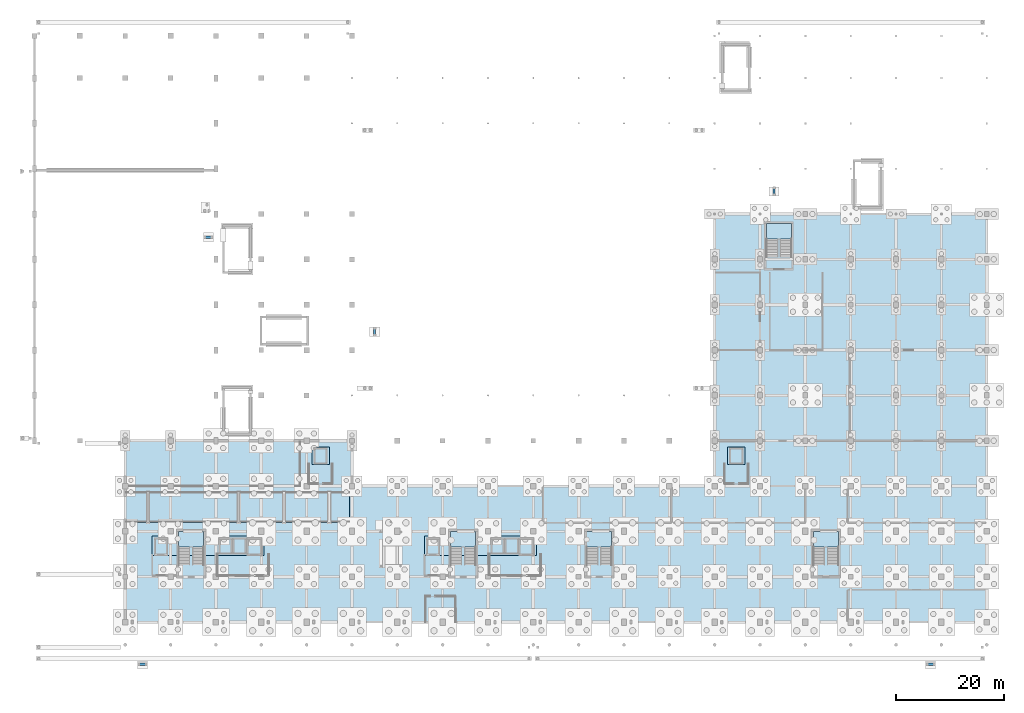
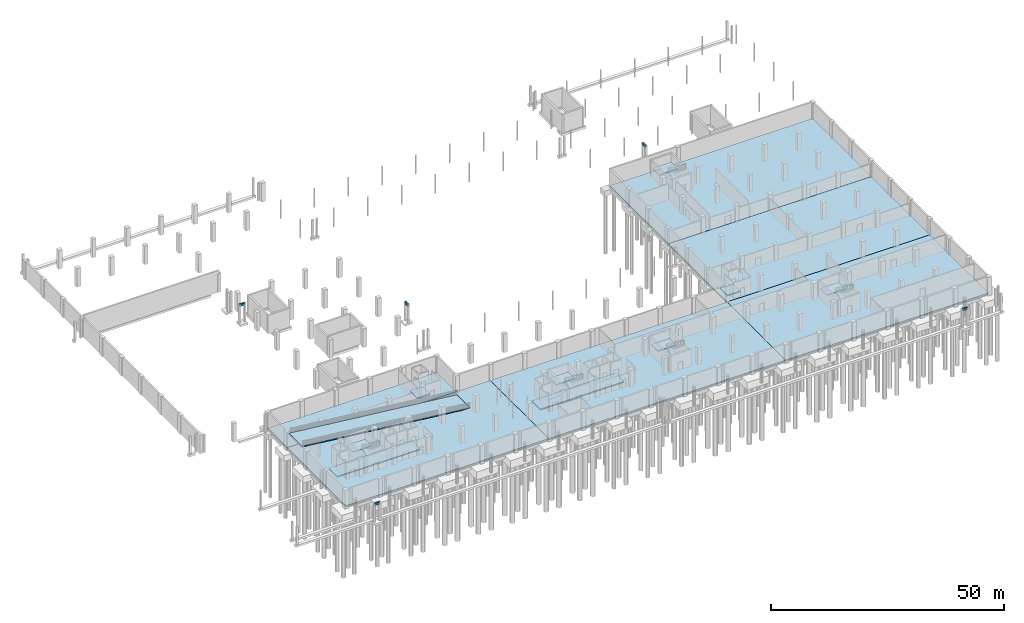
# One storey, part 28 of 39: 16 slabs, 5 beams, 5 elements without a shape of their own.
"""IFC4 building model written with IfcOpenShell, lengths in metres."""

from ifc_helpers import new_model, si_unit, derived_unit, direction, frame, origin, origin_2d, place, context, subcontext, project, spatial, polyline, rectangle, outline, extrude, material, layer, layer_set, material_profile, profile_set, type_object, element, aggregate, save


model = new_model("IFC4")

# Units and contexts
model_context = context("Model", 3, precision=1e-05, world=origin(), true_north=direction((0.0, 1.0)))
body_context = subcontext(model_context, "Body", "Model", "MODEL_VIEW")
ifc_project = project(units=[si_unit("LENGTHUNIT", "METRE"), si_unit("AREAUNIT", "SQUARE_METRE"), si_unit("VOLUMEUNIT", "CUBIC_METRE"), si_unit("PLANEANGLEUNIT", "RADIAN"), si_unit("MASSUNIT", "GRAM", prefix="KILO"), derived_unit("THERMALTRANSMITTANCEUNIT", [(si_unit("POWERUNIT", "WATT"), 1), (si_unit("LENGTHUNIT", "METRE"), -2), (si_unit("THERMODYNAMICTEMPERATUREUNIT", "KELVIN"), -1)])], contexts=[model_context])

# Site, building, storey
site_placement = place(None, origin())
site = spatial("IfcSite", under=ifc_project, at=site_placement, CompositionType="ELEMENT")
building_placement = place(site_placement, origin())
building = spatial("IfcBuilding", under=site, at=building_placement, Name="Barrovel Congress Hotel", CompositionType="ELEMENT")
storey_placement = place(building_placement, frame((0.0, 0.0, -4.5)))
storey = spatial("IfcBuildingStorey", under=building, at=storey_placement, Name="B01", CompositionType="ELEMENT", Elevation=-4.5)

# Beams
ifc_material_1 = material(Name="Concrete C40", Category="concrete")
ifc_material_profile = material_profile(ifc_material_1, rectangle(XDim=0.39990234375, YDim=0.60009765625, at=origin_2d()), Name="RC400x600")
ifc_profile_set = profile_set([ifc_material_profile], Name="Concrete C40")
beam_type = type_object("IfcBeamType", Name="BM-RC400x600", PredefinedType="BEAM", material=ifc_profile_set)
beam_placement = place(storey_placement, frame((32.85009765625, 75.5, 4.280029296875), z_axis=(-1.0, 0.0, 0.0), x_axis=(0.0, -1.0, 0.0)))
element("IfcBeam", 1, at=beam_placement, inside=storey, type_object=beam_type, Name="BM:RAMP:R-02:F1:1", PredefinedType="BEAM", context=body_context, shape_type="SweptSolid", body=[
    extrude(rectangle(XDim=0.39990234375, YDim=0.60009765625, at=origin_2d()), origin(), (0.0, 0.0, 1.0), 1.300048828125),
])
for number, where, z_axis, x_axis, name in (
    (2, (20.64990234375, -3.60009765625, 4.22998046875), (-1.0, 0.0, 0.0), (0.0, -1.0, 0.0), "BM:RAMP:R-03:F1:1"),
    (3, (166.64990234375, -3.60009765625, 4.22998046875), (-1.0, 0.0, 0.0), (0.0, -1.0, 0.0), "BM:RAMP:R-04:F1:1"),
    (4, (63.0, 58.64990234375, 4.22998046875), (0.0, -1.0, 0.0), (1.0, 0.0, 0.0), "BM:RAMP:R-05:F1:1"),
    (5, (137.0, 83.35009765625, 4.22998046875), (0.0, 1.0, 0.0), (-1.0, 0.0, 0.0), "BM:RAMP:R-06:F1:1"),
):
    element("IfcBeam", number, at=place(storey_placement, frame(where, z_axis=z_axis, x_axis=x_axis)), inside=storey, type_object=beam_type, Name=name, PredefinedType="BEAM", context=body_context, shape_type="SweptSolid", body=[
        extrude(rectangle(XDim=0.39990234375, YDim=0.60009765625, at=origin_2d()), origin(), (0.0, 0.0, 1.0), 1.2998046875),
    ])

# Slabs
ifc_material_2 = material(Name="Concrete C35", Category="concrete")
ifc_layer_1 = layer(ifc_material_2, 0.320068359375)
ifc_layer_set_1 = layer_set([ifc_layer_1], Name="Concrete C35")
slab_type_1 = type_object("IfcSlabType", Name="SL-B320", PredefinedType="BASESLAB", material=ifc_layer_set_1)
slab_1_placement = place(storey_placement, frame((0.0, 0.0, -0.320068359375)))
element("IfcSlab", 6, at=slab_1_placement, inside=storey, type_object=slab_type_1, Name="SLAB:B01:04", PredefinedType="BASESLAB", context=body_context, shape_type="SweptSolid", body=[
    extrude(outline(polyline([(16.800048828125, 29.39990234375), (58.800048828125, 29.39990234375), (58.800048828125, 37.800048828125), (16.800048828125, 37.800048828125), (16.800048828125, 29.39990234375)])), origin(), (0.0, 0.0, 1.0), 0.320068359375),
])
slab_2_placement = place(storey_placement, frame((0.0, 0.0, -0.320068359375)))
element("IfcSlab", 7, at=slab_2_placement, inside=storey, type_object=slab_type_1, Name="SLAB:B01:05", PredefinedType="BASESLAB", context=body_context, shape_type="SweptSolid", body=[
    extrude(outline(polyline([(126.0, 29.39990234375), (176.39990234375, 29.39990234375), (176.39990234375, 54.60009765625), (126.0, 54.60009765625), (126.0, 29.39990234375)])), origin(), (0.0, 0.0, 1.0), 0.320068359375),
])
slab_3_placement = place(storey_placement, frame((0.0, 0.0, -0.320068359375)))
element("IfcSlab", 8, at=slab_3_placement, inside=storey, type_object=slab_type_1, Name="SLAB:B01:06", PredefinedType="BASESLAB", context=body_context, shape_type="SweptSolid", body=[
    extrude(outline(polyline([(126.0, 54.60009765625), (176.39990234375, 54.60009765625), (176.39990234375, 79.800048828125), (126.0, 79.800048828125), (126.0, 54.60009765625)])), origin(), (0.0, 0.0, 1.0), 0.320068359375),
])
slab_4_placement = place(storey_placement, frame((0.0, 0.0, -1.820068359375)))
element("IfcSlab", 9, at=slab_4_placement, inside=storey, type_object=slab_type_1, Name="SLAB:PIT:B01:1", PredefinedType="BASESLAB", context=body_context, shape_type="SweptSolid", body=[
    extrude(outline(polyline([(21.800048828125, 16.5), (42.5, 16.5), (42.5, 20.199951171875), (21.800048828125, 20.199951171875), (21.800048828125, 16.5)])), origin(), (0.0, 0.0, 1.0), 0.320068359375),
])
slab_5_placement = place(storey_placement, frame((0.0, 0.0, -1.820068359375)))
element("IfcSlab", 10, at=slab_5_placement, inside=storey, type_object=slab_type_1, Name="SLAB:PIT:B01:2", PredefinedType="BASESLAB", context=body_context, shape_type="SweptSolid", body=[
    extrude(outline(polyline([(72.199951171875, 16.5), (93.0, 16.5), (93.0, 20.199951171875), (72.199951171875, 20.199951171875), (72.199951171875, 16.5)])), origin(), (0.0, 0.0, 1.0), 0.320068359375),
])
slab_6_placement = place(storey_placement, frame((0.0, 0.0, -1.820068359375)))
element("IfcSlab", 11, at=slab_6_placement, inside=storey, type_object=slab_type_1, Name="SLAB:PIT:B01:3", PredefinedType="BASESLAB", context=body_context, shape_type="SweptSolid", body=[
    extrude(outline(polyline([(51.39990234375, 33.39990234375), (54.60009765625, 33.39990234375), (54.60009765625, 36.60009765625), (51.39990234375, 36.60009765625), (51.39990234375, 33.39990234375)])), origin(), (0.0, 0.0, 1.0), 0.320068359375),
])
slab_7_placement = place(storey_placement, frame((0.0, 0.0, -1.820068359375)))
element("IfcSlab", 12, at=slab_7_placement, inside=storey, type_object=slab_type_1, Name="SLAB:PIT:B01:4", PredefinedType="BASESLAB", context=body_context, shape_type="SweptSolid", body=[
    extrude(outline(polyline([(128.39990234375, 33.39990234375), (131.60009765625, 33.39990234375), (131.60009765625, 36.60009765625), (128.39990234375, 36.60009765625), (128.39990234375, 33.39990234375)])), origin(), (0.0, 0.0, 1.0), 0.320068359375),
])
ifc_layer_2 = layer(ifc_material_2, 0.360107421875)
ifc_layer_set_2 = layer_set([ifc_layer_2], Name="Concrete C35")
slab_type_2 = type_object("IfcSlabType", Name="SL-B360", PredefinedType="BASESLAB", material=ifc_layer_set_2)
slab_8_placement = place(storey_placement, frame((0.0, 0.0, -0.360107421875)))
element("IfcSlab", 13, at=slab_8_placement, inside=storey, type_object=slab_type_2, Name="SLAB:B01:01", PredefinedType="BASESLAB", context=body_context, shape_type="SweptSolid", body=[
    extrude(outline(polyline([(16.800048828125, 4.199951171875), (67.199951171875, 4.199951171875), (67.199951171875, 29.39990234375), (16.800048828125, 29.39990234375), (16.800048828125, 4.199951171875)])), origin(), (0.0, 0.0, 1.0), 0.360107421875),
])
slab_9_placement = place(storey_placement, frame((0.0, 0.0, -0.360107421875)))
element("IfcSlab", 14, at=slab_9_placement, inside=storey, type_object=slab_type_2, Name="SLAB:B01:02", PredefinedType="BASESLAB", context=body_context, shape_type="SweptSolid", body=[
    extrude(outline(polyline([(67.199951171875, 4.199951171875), (126.0, 4.199951171875), (126.0, 29.39990234375), (67.199951171875, 29.39990234375), (67.199951171875, 4.199951171875)])), origin(), (0.0, 0.0, 1.0), 0.360107421875),
])
slab_10_placement = place(storey_placement, frame((0.0, 0.0, -0.360107421875)))
element("IfcSlab", 15, at=slab_10_placement, inside=storey, type_object=slab_type_2, Name="SLAB:B01:03", PredefinedType="BASESLAB", context=body_context, shape_type="SweptSolid", body=[
    extrude(outline(polyline([(126.0, 4.199951171875), (176.39990234375, 4.199951171875), (176.39990234375, 29.39990234375), (126.0, 29.39990234375), (126.0, 4.199951171875)])), origin(), (0.0, 0.0, 1.0), 0.360107421875),
])

# Stair, slab
stair_type_1 = type_object("IfcStairType", Name="STR-HT-450", PredefinedType="HALF_TURN_STAIR", material=ifc_material_1)
stair_1_placement = place(storey_placement, origin())
stair_1 = element("IfcStair", 16, at=stair_1_placement, inside=storey, type_object=stair_type_1, Name="Exit Stair XS-01 (B01)", PredefinedType="HALF_TURN_STAIR")
ifc_layer_3 = layer(ifc_material_1, 0.18994140625)
ifc_layer_set_3 = layer_set([ifc_layer_3], Name="Concrete C40")
slab_type_3 = type_object("IfcSlabType", Name="SL-LDG-190", PredefinedType="LANDING", material=ifc_layer_set_3)
slab_11_placement = place(storey_placement, frame((0.0, 0.0, 2.06005859375)))
slab_11 = element("IfcSlab", 17, at=slab_11_placement, type_object=slab_type_3, Name="STAIR:XS-01:B01:LDG", PredefinedType="LANDING", context=body_context, shape_type="SweptSolid", body=[
    extrude(outline(polyline([(26.679931640625, 18.1298828125), (31.320068359375, 18.1298828125), (31.320068359375, 21.02001953125), (26.679931640625, 21.02001953125), (26.679931640625, 18.1298828125)])), origin(), (0.0, 0.0, 1.0), 0.18994140625),
])
aggregate(stair_1, [slab_11])

stair_2_placement = place(storey_placement, origin())
stair_2 = element("IfcStair", 18, at=stair_2_placement, inside=storey, type_object=stair_type_1, Name="Exit Stair XS-04 (B01)", PredefinedType="HALF_TURN_STAIR")
slab_12_placement = place(storey_placement, frame((0.0, 0.0, 2.06005859375)))
slab_12 = element("IfcSlab", 19, at=slab_12_placement, type_object=slab_type_3, Name="STAIR:XS-04:B01:LDG", PredefinedType="LANDING", context=body_context, shape_type="SweptSolid", body=[
    extrude(outline(polyline([(144.280029296875, 18.1298828125), (148.919921875, 18.1298828125), (148.919921875, 21.02001953125), (144.280029296875, 21.02001953125), (144.280029296875, 18.1298828125)])), origin(), (0.0, 0.0, 1.0), 0.18994140625),
])
aggregate(stair_2, [slab_12])

stair_3_placement = place(storey_placement, origin())
stair_3 = element("IfcStair", 20, at=stair_3_placement, inside=storey, type_object=stair_type_1, Name="Exit Stair XS-02 (B01)", PredefinedType="HALF_TURN_STAIR")
ifc_layer_4 = layer(ifc_material_1, 0.2099609375)
ifc_layer_set_4 = layer_set([ifc_layer_4], Name="Concrete C40")
slab_type_4 = type_object("IfcSlabType", Name="SL-LDG-210", PredefinedType="LANDING", material=ifc_layer_set_4)
slab_13_placement = place(storey_placement, frame((0.0, 0.0, 2.0400390625)))
slab_13 = element("IfcSlab", 21, at=slab_13_placement, type_object=slab_type_4, Name="STAIR:XS-02:B01:LDG", PredefinedType="LANDING", context=body_context, shape_type="SweptSolid", body=[
    extrude(outline(polyline([(77.080078125, 18.1298828125), (81.719970703125, 18.1298828125), (81.719970703125, 21.02001953125), (77.080078125, 21.02001953125), (77.080078125, 18.1298828125)])), origin(), (0.0, 0.0, 1.0), 0.2099609375),
])
aggregate(stair_3, [slab_13])

stair_4_placement = place(storey_placement, origin())
stair_4 = element("IfcStair", 22, at=stair_4_placement, inside=storey, type_object=stair_type_1, Name="Exit Stair XS-03 (B01)", PredefinedType="HALF_TURN_STAIR")
ifc_layer_5 = layer(ifc_material_1, 0.22998046875)
ifc_layer_set_5 = layer_set([ifc_layer_5], Name="Concrete C40")
slab_type_5 = type_object("IfcSlabType", Name="SL-LDG-230", PredefinedType="LANDING", material=ifc_layer_set_5)
slab_14_placement = place(storey_placement, frame((0.0, 0.0, 2.02001953125)))
slab_14 = element("IfcSlab", 23, at=slab_14_placement, type_object=slab_type_5, Name="STAIR:XS-03:B01:LDG", PredefinedType="LANDING", context=body_context, shape_type="SweptSolid", body=[
    extrude(outline(polyline([(102.280029296875, 18.1298828125), (106.919921875, 18.1298828125), (106.919921875, 21.02001953125), (102.280029296875, 21.02001953125), (102.280029296875, 18.1298828125)])), origin(), (0.0, 0.0, 1.0), 0.22998046875),
])
aggregate(stair_4, [slab_14])

stair_type_2 = type_object("IfcStairType", Name="STR-2Q-450", PredefinedType="TWO_QUARTER_TURN_STAIR", material=ifc_material_1)
stair_5_placement = place(storey_placement, origin())
stair_5 = element("IfcStair", 24, at=stair_5_placement, inside=storey, type_object=stair_type_2, Name="Exit Stair XS-09 (B01)", PredefinedType="TWO_QUARTER_TURN_STAIR")
slab_15_placement = place(storey_placement, frame((0.0, 0.0, 2.02001953125)))
slab_15 = element("IfcSlab", 25, at=slab_15_placement, type_object=slab_type_5, Name="STAIR:XS-09:B01:LDG", PredefinedType="LANDING", context=body_context, shape_type="SweptSolid", body=[
    extrude(outline(polyline([(135.580078125, 75.169921875), (140.219970703125, 75.169921875), (140.219970703125, 78.06005859375), (135.580078125, 78.06005859375), (135.580078125, 75.169921875)])), origin(), (0.0, 0.0, 1.0), 0.22998046875),
])
aggregate(stair_5, [slab_15])

# Slab
ifc_layer_6 = layer(ifc_material_2, 0.25)
ifc_layer_set_6 = layer_set([ifc_layer_6], Name="Concrete C35")
slab_type_6 = type_object("IfcSlabType", Name="SL-R250", PredefinedType="FLOOR", material=ifc_layer_set_6)
slab_16_placement = place(storey_placement, frame((58.35009765625, 22.699951171875, 0.0), z_axis=(0.107290260839, 0.0, 0.994227740474), x_axis=(0.0, 1.0, 0.0)))
element("IfcSlab", 26, at=slab_16_placement, inside=storey, type_object=slab_type_6, Name="Car park vehicle ramp R-01", PredefinedType="FLOOR", context=body_context, shape_type="SweptSolid", body=[
    extrude(outline(polyline([(0.0, 0.0), (5.60009765625, 0.0), (5.60009765625, 41.942297136669175), (0.0, 41.942297136669175), (0.0, 0.0)])), origin(), (0.0, 0.0, -1.0), 0.25),
])

save(model, "model.ifc")
